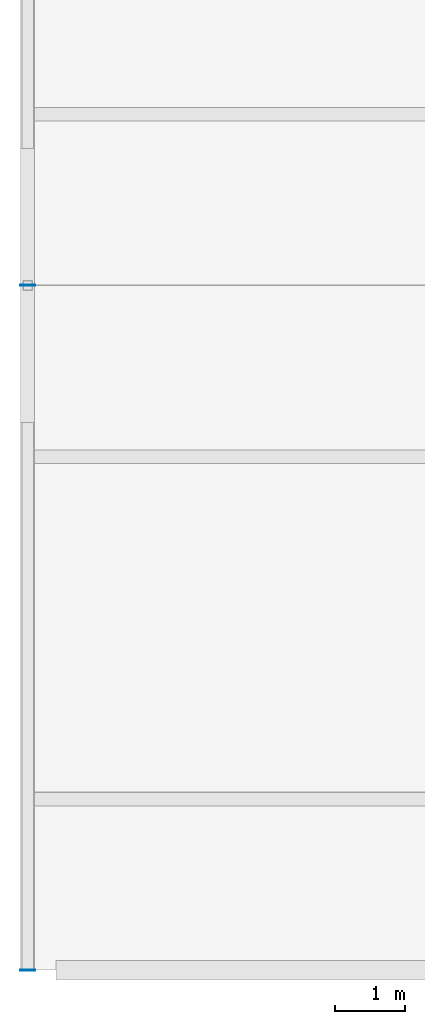
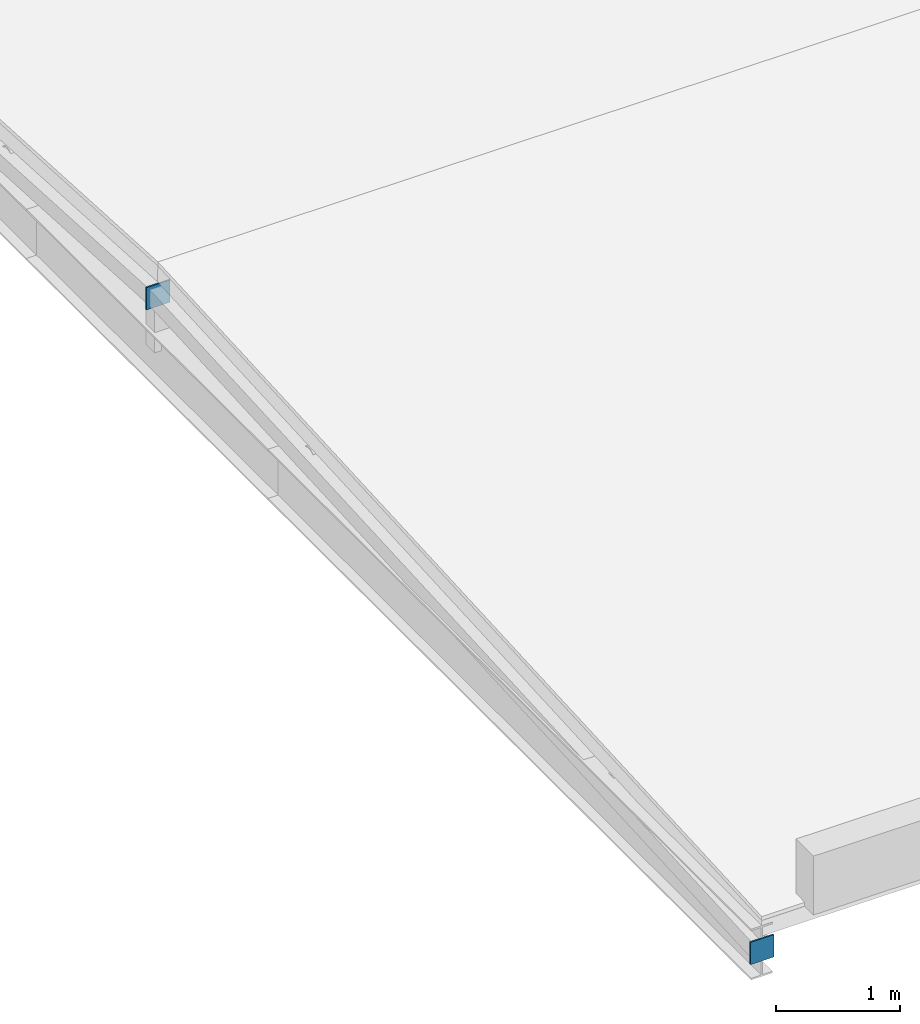
# One storey, part 6 of 13: 2 plates.
"""IFC4 building model written with IfcOpenShell, lengths in metres."""

import ifcopenshell
import ifcopenshell.guid

model = None  # the IFC model being written
_history = None  # IfcOwnerHistory: only IFC2X3 demands one
_inside = {}  # id of a spatial element -> (the spatial element, [elements in it])
_under = {}  # id of a project, library or spatial element -> (it, [spatial elements below it])
_declared = {}  # id of a project -> (the project, [libraries it declares])
_typed = {}  # id of a type object -> (the type object, [elements of that type])
_made_of = {}  # id of a material, layer set ... -> (it, [elements and type objects made of it])


def new_model(schema):
    """Start an empty IFC model of exactly this schema.

    Asked for "IFC4X3", IfcOpenShell would pick the latest addendum, in which some entities
    have other attributes; the version numbers below select the first issue.
    IFC2X3 requires an IfcOwnerHistory on every rooted entity: one is made here for all.
    """
    global model, _history
    if schema == "IFC4X3":
        model = ifcopenshell.file(schema_version=(4, 3, 0, 0))
    else:
        model = ifcopenshell.file(schema=schema)
    _inside.clear()
    _under.clear()
    _declared.clear()
    _typed.clear()
    _made_of.clear()
    _history = None
    if model.schema == "IFC2X3":
        org = make("IfcOrganization", Name="unknown")
        user = make(
            "IfcPersonAndOrganization",
            ThePerson=make("IfcPerson", FamilyName="unknown"),
            TheOrganization=org,
        )
        app = make(
            "IfcApplication",
            ApplicationDeveloper=org,
            Version="unknown",
            ApplicationFullName="unknown",
            ApplicationIdentifier="unknown",
        )
        _history = make(
            "IfcOwnerHistory",
            OwningUser=user,
            OwningApplication=app,
            ChangeAction="ADDED",
            CreationDate=0,
        )
    return model


def make(cls, **values):
    """One entity of the class cls with the attributes given. An attribute that is None is left unset."""
    return model.create_entity(
        cls, **{name: value for name, value in values.items() if value is not None}
    )


def rooted(cls, **values):
    """An entity with a GlobalId (a new one), such as an element, a storey or a relation."""
    return make(cls, GlobalId=ifcopenshell.guid.new(), OwnerHistory=_history, **values)


def si_unit(unit_type, name, prefix=None):
    """IfcSIUnit, for example si_unit("LENGTHUNIT", "METRE", prefix="MILLI")."""
    return make("IfcSIUnit", UnitType=unit_type, Prefix=prefix, Name=name)


def assignment(units):
    """IfcUnitAssignment: the units of a project."""
    return None if units is None else make("IfcUnitAssignment", Units=units)


def point(xyz):
    """IfcCartesianPoint."""
    return None if xyz is None else make("IfcCartesianPoint", Coordinates=xyz)


def direction(xyz):
    """IfcDirection."""
    return None if xyz is None else make("IfcDirection", DirectionRatios=xyz)


def frame(location, z_axis=None, x_axis=None):
    """IfcAxis2Placement3D, a coordinate frame: its origin and axes. An axis left out is left unset."""
    return make(
        "IfcAxis2Placement3D",
        Location=point(location),
        Axis=direction(z_axis),
        RefDirection=direction(x_axis),
    )


def frame_2d(location, x_axis=None):
    """IfcAxis2Placement2D, a coordinate frame in the plane: its origin and x axis."""
    return make(
        "IfcAxis2Placement2D", Location=point(location), RefDirection=direction(x_axis)
    )


def origin():
    """The frame at (0, 0, 0) with its axes left unset."""
    return frame((0.0, 0.0, 0.0))


def origin_2d():
    """The frame at (0, 0) in the plane with its x axis left unset."""
    return frame_2d((0.0, 0.0))


def place(relative_to, where):
    """IfcLocalPlacement: puts the frame where relative to a parent placement (None: the world)."""
    return make(
        "IfcLocalPlacement", PlacementRelTo=relative_to, RelativePlacement=where
    )


def context(
    kind, dimensions, precision=None, world=None, true_north=None, identifier=None
):
    """IfcGeometricRepresentationContext, for example the 3D "Model" context."""
    return make(
        "IfcGeometricRepresentationContext",
        ContextIdentifier=identifier,
        ContextType=kind,
        CoordinateSpaceDimension=dimensions,
        Precision=precision,
        WorldCoordinateSystem=world,
        TrueNorth=true_north,
    )


def subcontext(parent, identifier, kind, view, scale=None):
    """IfcGeometricRepresentationSubContext, for example "Body" below "Model"."""
    return make(
        "IfcGeometricRepresentationSubContext",
        ContextIdentifier=identifier,
        ContextType=kind,
        ParentContext=parent,
        TargetScale=scale,
        TargetView=view,
    )


def project(units=None, contexts=None):
    """IfcProject with its units and contexts."""
    return rooted(
        "IfcProject",
        Name="project",
        RepresentationContexts=contexts,
        UnitsInContext=assignment(units),
    )


def spatial(cls, under=None, at=None, **own):
    """A site, building, storey or space (cls), placed at a placement, below another one or the project."""
    s = rooted(cls, ObjectPlacement=at, **own)
    if under is not None:
        _under.setdefault(under.id(), (under, []))[1].append(s)
    return s


def profile(cls, at=None, kind="AREA", **sizes):
    """A parametric profile (cls). Its sizes go by their IFC names, for example OverallWidth=200.0."""
    return make(cls, ProfileType=kind, Position=at, **sizes)


def rectangle(**sizes):
    """IfcRectangleProfileDef."""
    return profile("IfcRectangleProfileDef", **sizes)


def extrude(swept, where, along, depth):
    """IfcExtrudedAreaSolid: the profile swept, set in the frame where, extruded along a direction by depth."""
    return make(
        "IfcExtrudedAreaSolid",
        SweptArea=swept,
        Position=where,
        ExtrudedDirection=direction(along),
        Depth=depth,
    )


def shape(context_of_items, identifier, shape_type, items):
    """IfcShapeRepresentation: the items that make up one representation, for example the "Body"."""
    return make(
        "IfcShapeRepresentation",
        ContextOfItems=context_of_items,
        RepresentationIdentifier=identifier,
        RepresentationType=shape_type,
        Items=items,
    )


def material(Name=None, Category=None):
    """IfcMaterial."""
    return make("IfcMaterial", Name=Name, Category=Category)


def layer(
    of_material, thickness, ventilated=None, Name=None, Category=None, Priority=None
):
    """IfcMaterialLayer: one layer of a wall or slab, of a material (None: an air gap)."""
    return make(
        "IfcMaterialLayer",
        Material=of_material,
        LayerThickness=thickness,
        IsVentilated=ventilated,
        Name=Name,
        Category=Category,
        Priority=Priority,
    )


def layer_set(layers, Name=None):
    """IfcMaterialLayerSet."""
    return make("IfcMaterialLayerSet", MaterialLayers=layers, LayerSetName=Name)


def made_of(thing, what):
    """Note that an element or type object is made of a material, layer set ...; save() writes the relation."""
    if what is not None:
        _made_of.setdefault(what.id(), (what, []))[1].append(thing)
    return thing


def type_object(cls, material=None, **own):
    """A type object (cls), such as IfcWallType, which elements share."""
    return made_of(rooted(cls, **own), material)


def element(
    cls,
    number,
    at=None,
    inside=None,
    cuts=None,
    type_object=None,
    material=None,
    context=None,
    identifier="Body",
    shape_type=None,
    held_by="IfcProductDefinitionShape",
    body=None,
    shapes=None,
    **own,
):
    """One element of the class cls, such as IfcWall. Its Tag is "e" and its number.

    at: its placement. inside: the storey or other place that contains it. cuts: it is an
    opening in that element (IfcRelVoidsElement). A single representation is given by context,
    identifier, shape_type and body (its items); several are given by shapes. held_by: the class
    of the entity that holds the representations. save() writes the other relations.
    """
    e = rooted(cls, Tag="e%d" % number, ObjectPlacement=at, **own)
    if body is not None:
        shapes = [shape(context, identifier, shape_type, body)]
    if shapes is not None:
        e.Representation = make(held_by, Representations=shapes)
    if inside is not None:
        _inside.setdefault(inside.id(), (inside, []))[1].append(e)
    if cuts is not None:
        rooted(
            "IfcRelVoidsElement", RelatingBuildingElement=cuts, RelatedOpeningElement=e
        )
    if type_object is not None:
        _typed.setdefault(type_object.id(), (type_object, []))[1].append(e)
    return made_of(e, material)


def aggregate(whole, parts):
    """IfcRelAggregates: a whole, such as a stair, and the parts it consists of."""
    return rooted("IfcRelAggregates", RelatingObject=whole, RelatedObjects=parts)


def save(model, path):
    """Write the relations noted so far, then the file.

    IfcRelAggregates (storeys below a building ...), IfcRelContainedInSpatialStructure (elements
    in a storey), IfcRelDefinesByType, IfcRelAssociatesMaterial and IfcRelDeclares: one each for
    every whole, place, type object, material and project.
    """
    for whole, parts in _under.values():
        aggregate(whole, parts)
    for where, things in _inside.values():
        rooted(
            "IfcRelContainedInSpatialStructure",
            RelatedElements=things,
            RelatingStructure=where,
        )
    for kind, things in _typed.values():
        rooted("IfcRelDefinesByType", RelatedObjects=things, RelatingType=kind)
    for what, things in _made_of.values():
        rooted("IfcRelAssociatesMaterial", RelatedObjects=things, RelatingMaterial=what)
    for by, libraries in _declared.values():
        rooted("IfcRelDeclares", RelatingContext=by, RelatedDefinitions=libraries)
    model.write(path)


model = new_model("IFC4")

# Units and contexts
model_context = context("Model", 3, precision=1e-05, world=origin(), true_north=direction((0.0, 1.0)))
body_context = subcontext(model_context, "Body", "Model", "MODEL_VIEW")
ifc_project = project(units=[si_unit("LENGTHUNIT", "METRE"), si_unit("AREAUNIT", "SQUARE_METRE"), si_unit("VOLUMEUNIT", "CUBIC_METRE"), si_unit("PLANEANGLEUNIT", "RADIAN"), si_unit("MASSUNIT", "GRAM", prefix="KILO")], contexts=[model_context])

# Site, building, storey
site_placement = place(None, origin())
site = spatial("IfcSite", under=ifc_project, at=site_placement, CompositionType="ELEMENT")
building_placement = place(site_placement, origin())
building = spatial("IfcBuilding", under=site, at=building_placement, Name="Celorna Specialist Clinic", CompositionType="ELEMENT")
storey_placement = place(building_placement, frame((0.0, 0.0, 27.300048828125)))
storey = spatial("IfcBuildingStorey", under=building, at=storey_placement, Name="RF", CompositionType="ELEMENT", Elevation=27.300048828125)

# Plates
ifc_material = material(Name="Steel S355", Category="steel")
ifc_layer = layer(ifc_material, 0.01611328125, Name="Steel S355")
ifc_layer_set = layer_set([ifc_layer], Name="Steel S355")
plate_type = type_object("IfcPlateType", Name="EP-04", PredefinedType="SHEET", material=ifc_layer_set)
for number, where, z_axis, x_axis, name in (
    (1, (46.800048828125, 96.5, -0.39208984375), (0.0, 0.0, 1.0), (1.0, 0.0, 0.0), "Rafter chord cap plate ROOF-V4-SOUTH"),
    (2, (46.800048828125, 106.25, 0.14794921875), (0.0, 0.0, 1.0), (1.0, 0.0, 0.0), "Rafter chord cap plate ROOF-V4-SOUTH"),
):
    element("IfcPlate", number, at=place(storey_placement, frame(where, z_axis=z_axis, x_axis=x_axis)), inside=storey, type_object=plate_type, Name=name, PredefinedType="SHEET", context=body_context, shape_type="SweptSolid", body=[
        extrude(rectangle(XDim=0.219970703125, YDim=0.013916015625, at=origin_2d()), origin(), (0.0, 0.0, 1.0), 0.219970703125),
    ])

save(model, "model.ifc")
